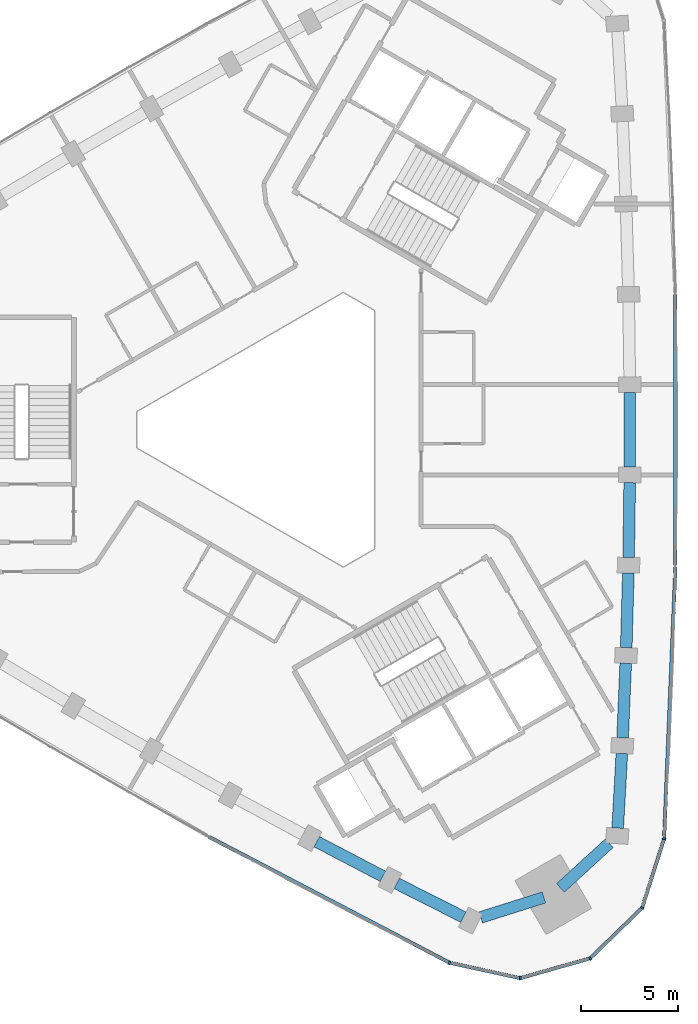
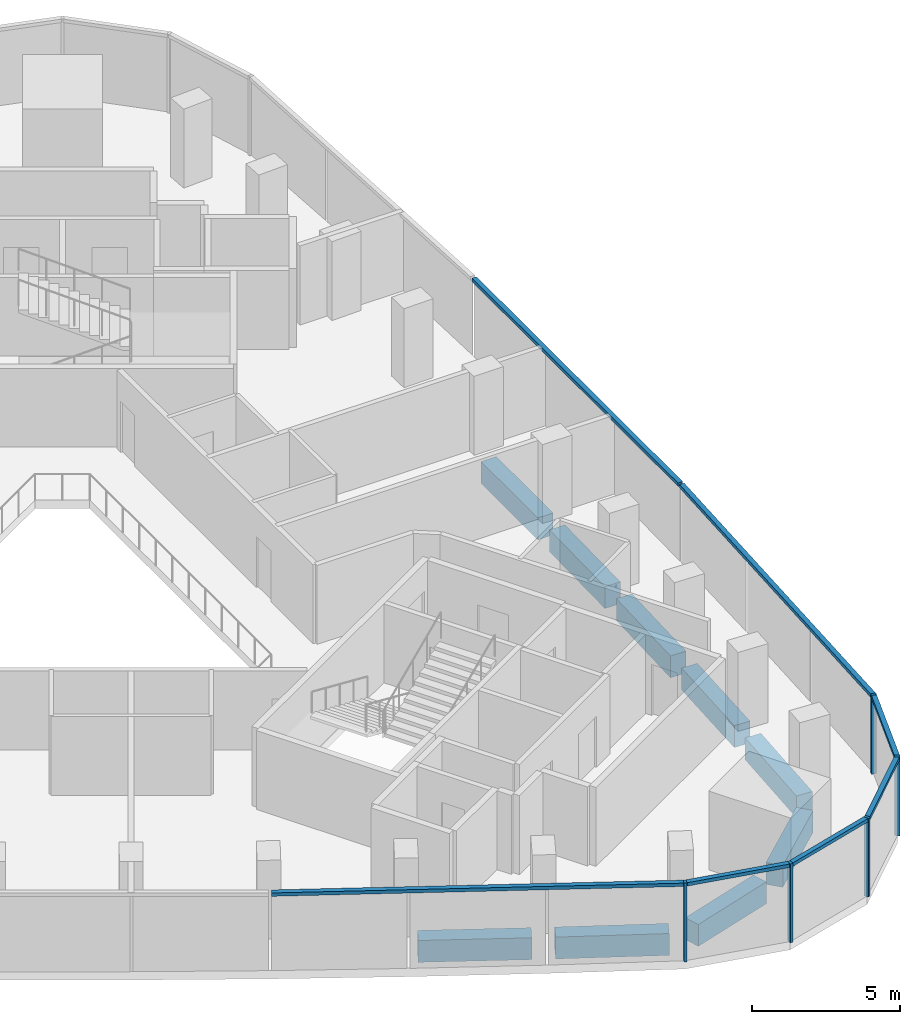
# One storey, part 3 of 11: 12 members, 9 beams, 2 elements without a shape of their own.
"""IFC4 building model written with IfcOpenShell, lengths in metres."""

from ifc_helpers import new_model, si_unit, direction, frame, origin, origin_2d, place, context, subcontext, project, spatial, rectangle, extrude, material, material_profile, profile_set, type_object, element, aggregate, save


model = new_model("IFC4")

# Units and contexts
model_context = context("Model", 3, precision=1e-05, world=origin(), true_north=direction((0.0, 1.0)))
body_context = subcontext(model_context, "Body", "Model", "MODEL_VIEW")
ifc_project = project(units=[si_unit("LENGTHUNIT", "METRE"), si_unit("AREAUNIT", "SQUARE_METRE"), si_unit("VOLUMEUNIT", "CUBIC_METRE"), si_unit("PLANEANGLEUNIT", "RADIAN"), si_unit("MASSUNIT", "GRAM", prefix="KILO")], contexts=[model_context])

# Site, building, storey
site_placement = place(None, origin())
site = spatial("IfcSite", under=ifc_project, at=site_placement, CompositionType="ELEMENT")
building_placement = place(site_placement, origin())
building = spatial("IfcBuilding", under=site, at=building_placement, Name="Tamra Quay Hotel Tower", CompositionType="ELEMENT")
storey_placement = place(building_placement, frame((0.0, 0.0, 190.0)))
storey = spatial("IfcBuildingStorey", under=building, at=storey_placement, Name="L47", CompositionType="ELEMENT", Elevation=190.0)

# Curtain wall, member
ifc_material_1 = material(Name="Aluminium 6063 anodised dark grey", Category="aluminium")
curtain_wall_type_1 = type_object("IfcCurtainWallType", Name="CW1 CURTAIN WALL", PredefinedType="NOTDEFINED", material=ifc_material_1)
curtain_wall_1_placement = place(storey_placement, origin())
curtain_wall_1 = element("IfcCurtainWall", 1, at=curtain_wall_1_placement, inside=storey, type_object=curtain_wall_type_1, Name="CW1 east face L47", PredefinedType="NOTDEFINED")
ifc_material_profile_1 = material_profile(ifc_material_1, rectangle(XDim=0.179931640625, YDim=0.10009765625, at=origin_2d()), Name="MULLION 100X180")
ifc_profile_set_1 = profile_set([ifc_material_profile_1], Name="Aluminium 6063 anodised dark grey")
member_type_1 = type_object("IfcMemberType", Name="MULLION CW1 Z4", PredefinedType="MULLION", material=ifc_profile_set_1)
member_1_placement = place(storey_placement, frame((19.4755859375, -21.00537109375, 0.0), z_axis=(0.0, 0.0, 1.0), x_axis=(0.98350948997, -0.180856526394, 0.0)))
member_1 = element("IfcMember", 2, at=member_1_placement, type_object=member_type_1, Name="CW1 mullion L47.E.1", PredefinedType="MULLION", context=body_context, shape_type="SweptSolid", body=[
    extrude(rectangle(XDim=0.179931640625, YDim=0.10009765625, at=origin_2d()), origin(), (0.0, 0.0, 1.0), 3.25),
])

# Curtain wall, members
curtain_wall_type_2 = type_object("IfcCurtainWallType", Name="CW3 CURTAIN WALL", PredefinedType="NOTDEFINED", material=ifc_material_1)
curtain_wall_2_placement = place(storey_placement, origin())
curtain_wall_2 = element("IfcCurtainWall", 3, at=curtain_wall_2_placement, inside=storey, type_object=curtain_wall_type_2, Name="CW3 south-west face L47", PredefinedType="NOTDEFINED")
ifc_material_profile_2 = material_profile(ifc_material_1, rectangle(XDim=0.179931640625, YDim=0.10009765625, at=origin_2d()), Name="MULLION 100X180")
ifc_profile_set_2 = profile_set([ifc_material_profile_2], Name="Aluminium 6063 anodised dark grey")
member_type_2 = type_object("IfcMemberType", Name="MULLION CW3 Z4", PredefinedType="MULLION", material=ifc_profile_set_2)
member_2_placement = place(storey_placement, frame((8.453369140625, -27.369140625, 0.0), z_axis=(0.0, 0.0, 1.0), x_axis=(-0.335128398687, -0.942172466374, 0.0)))
member_2 = element("IfcMember", 4, at=member_2_placement, type_object=member_type_2, Name="CW3 mullion L47.SW.10", PredefinedType="MULLION", context=body_context, shape_type="SweptSolid", body=[
    extrude(rectangle(XDim=0.179931640625, YDim=0.10009765625, at=origin_2d()), origin(), (0.0, 0.0, 1.0), 3.25),
])
member_3_placement = place(storey_placement, frame((12.091064453125, -28.164794921875, 0.0), z_axis=(0.0, 0.0, 1.0), x_axis=(0.030975337936, -0.999520149091, 0.0)))
member_3 = element("IfcMember", 5, at=member_3_placement, type_object=member_type_2, Name="CW3 mullion L47.SW.11", PredefinedType="MULLION", context=body_context, shape_type="SweptSolid", body=[
    extrude(rectangle(XDim=0.179931640625, YDim=0.10009765625, at=origin_2d()), origin(), (0.0, 0.0, 1.0), 3.25),
])
member_4_placement = place(storey_placement, frame((15.67236328125, -27.145263671875, 0.0), z_axis=(0.0, 0.0, 1.0), x_axis=(0.5, -0.866025403784, 0.0)))
member_4 = element("IfcMember", 6, at=member_4_placement, type_object=member_type_2, Name="CW3 mullion L47.SW.12", PredefinedType="MULLION", context=body_context, shape_type="SweptSolid", body=[
    extrude(rectangle(XDim=0.179931640625, YDim=0.10009765625, at=origin_2d()), origin(), (0.0, 0.0, 1.0), 3.25),
])
member_5_placement = place(storey_placement, frame((18.345947265625, -24.553466796875, 0.0), z_axis=(0.0, 0.0, 1.0), x_axis=(0.85012217174, -0.526585504089, 0.0)))
member_5 = element("IfcMember", 7, at=member_5_placement, type_object=member_type_2, Name="CW3 mullion L47.SW.13", PredefinedType="MULLION", context=body_context, shape_type="SweptSolid", body=[
    extrude(rectangle(XDim=0.179931640625, YDim=0.10009765625, at=origin_2d()), origin(), (0.0, 0.0, 1.0), 3.25),
])

# Beams
ifc_material_2 = material(Name="Concrete M60", Category="concrete")
ifc_material_profile_3 = material_profile(ifc_material_2, rectangle(XDim=0.60009765625, YDim=0.89990234375, at=origin_2d()), Name="SPANDREL BEAM RC 600x900")
ifc_profile_set_3 = profile_set([ifc_material_profile_3], Name="Concrete M60")
beam_type = type_object("IfcBeamType", Name="SPANDREL BEAM RC 600x900", PredefinedType="SPANDREL", material=ifc_profile_set_3)
beam_1_placement = place(storey_placement, frame((17.091796875, -20.456787109375, -0.800048828125), z_axis=(0.055346700292, 0.99846719664, 0.0), x_axis=(-0.99846719664, 0.055346700292, 0.0)))
element("IfcBeam", 8, at=beam_1_placement, inside=storey, type_object=beam_type, Name="BM-SP4-000-L47", PredefinedType="SPANDREL", context=body_context, shape_type="SweptSolid", body=[
    extrude(rectangle(XDim=0.60009765625, YDim=0.89990234375, at=origin_2d()), origin(), (0.0, 0.0, 1.0), 3.837646484375),
])
beam_2_placement = place(storey_placement, frame((17.343017578125, -15.82568359375, -0.800048828125), z_axis=(0.041609373826, 0.999133954988, 0.0), x_axis=(-0.999133954988, 0.041609373826, 0.0)))
element("IfcBeam", 9, at=beam_2_placement, inside=storey, type_object=beam_type, Name="BM-SP4-001-L47", PredefinedType="SPANDREL", context=body_context, shape_type="SweptSolid", body=[
    extrude(rectangle(XDim=0.60009765625, YDim=0.89990234375, at=origin_2d()), origin(), (0.0, 0.0, 1.0), 3.83740234375),
])
beam_3_placement = place(storey_placement, frame((17.530517578125, -11.192138671875, -0.800048828125), z_axis=(0.02773528523, 0.999615302981, 0.0), x_axis=(-0.999615302981, 0.02773528523, 0.0)))
element("IfcBeam", 10, at=beam_3_placement, inside=storey, type_object=beam_type, Name="BM-SP4-002-L47", PredefinedType="SPANDREL", context=body_context, shape_type="SweptSolid", body=[
    extrude(rectangle(XDim=0.60009765625, YDim=0.89990234375, at=origin_2d()), origin(), (0.0, 0.0, 1.0), 3.837890625),
])
for number, where, z_axis, x_axis, name in (
    (11, (17.65380859375, -6.555908203125, -0.800048828125), (0.01380539035, 0.999904701058, 0.0), (-0.999904701058, 0.01380539035, 0.0), "BM-SP4-003-L47"),
    (12, (17.71240234375, -1.918701171875, -0.800048828125), (0.0, 1.0, 0.0), (-1.0, 0.0, 0.0), "BM-SP4-004-L47"),
    (13, (1.6337890625, -21.153564453125, -0.800048828125), (0.886043134182, -0.463602808845, 0.0), (0.463602808845, 0.886043134182, 0.0), "BM-SP4-029-L47"),
):
    element("IfcBeam", number, at=place(storey_placement, frame(where, z_axis=z_axis, x_axis=x_axis)), inside=storey, type_object=beam_type, Name=name, PredefinedType="SPANDREL", context=body_context, shape_type="SweptSolid", body=[
        extrude(rectangle(XDim=0.60009765625, YDim=0.89990234375, at=origin_2d()), origin(), (0.0, 0.0, 1.0), 3.83740234375),
    ])
beam_4_placement = place(storey_placement, frame((5.745361328125, -23.29833984375, -0.800048828125), z_axis=(0.892407883039, -0.451229620359, 0.0), x_axis=(0.451229620359, 0.892407883039, 0.0)))
element("IfcBeam", 14, at=beam_4_placement, inside=storey, type_object=beam_type, Name="BM-SP4-030-L47", PredefinedType="SPANDREL", context=body_context, shape_type="SweptSolid", body=[
    extrude(rectangle(XDim=0.60009765625, YDim=0.89990234375, at=origin_2d()), origin(), (0.0, 0.0, 1.0), 3.837646484375),
])
beam_5_placement = place(storey_placement, frame((10.057373046875, -25.043212890625, -0.800048828125), z_axis=(0.953502415748, 0.301385373174, 0.0), x_axis=(-0.301385373174, 0.953502415748, 0.0)))
element("IfcBeam", 15, at=beam_5_placement, inside=storey, type_object=beam_type, Name="BM-SP4-031-L47", PredefinedType="SPANDREL", context=body_context, shape_type="SweptSolid", body=[
    extrude(rectangle(XDim=0.60009765625, YDim=0.89990234375, at=origin_2d()), origin(), (0.0, 0.0, 1.0), 3.40380859375),
])
beam_6_placement = place(storey_placement, frame((14.14794921875, -23.52978515625, -0.800048828125), z_axis=(0.737716497183, 0.675110635218, 0.0), x_axis=(-0.675110635218, 0.737716497183, 0.0)))
element("IfcBeam", 16, at=beam_6_placement, inside=storey, type_object=beam_type, Name="BM-SP4-032-L47", PredefinedType="SPANDREL", context=body_context, shape_type="SweptSolid", body=[
    extrude(rectangle(XDim=0.60009765625, YDim=0.89990234375, at=origin_2d()), origin(), (0.0, 0.0, 1.0), 3.404296875),
])

# Member
ifc_material_profile_4 = material_profile(ifc_material_1, rectangle(XDim=0.179931640625, YDim=0.139892578125, at=origin_2d()), Name="TRANSOM 180X140")
ifc_profile_set_4 = profile_set([ifc_material_profile_4], Name="Aluminium 6063 anodised dark grey")
member_type_3 = type_object("IfcMemberType", Name="TRANSOM CW1 Z4", PredefinedType="USERDEFINED", material=ifc_profile_set_4)
member_6_placement = place(storey_placement, frame((19.478515625, -20.95556640625, 3.179931640625), z_axis=(0.041576525187, 0.999135322443, 0.0), x_axis=(-0.999135322443, 0.041576525187, 0.0)))
member_6 = element("IfcMember", 17, at=member_6_placement, type_object=member_type_3, Name="CW1 transom L47.E.1", ObjectType="TRANSOM", PredefinedType="USERDEFINED", context=body_context, shape_type="SweptSolid", body=[
    extrude(rectangle(XDim=0.179931640625, YDim=0.139892578125, at=origin_2d()), origin(), (0.0, 0.0, 1.0), 13.910888671875),
])

member_7_placement = place(storey_placement, frame((20.05908203125, -6.956787109375, 3.179931640625), z_axis=(0.0, 1.0, 0.0), x_axis=(-1.0, 0.0, 0.0)))
member_7 = element("IfcMember", 18, at=member_7_placement, type_object=member_type_3, Name="CW1 transom L47.E.4", ObjectType="TRANSOM", PredefinedType="USERDEFINED", context=body_context, shape_type="SweptSolid", body=[
    extrude(rectangle(XDim=0.179931640625, YDim=0.139892578125, at=origin_2d()), origin(), (0.0, 0.0, 1.0), 13.91357421875),
])

aggregate(curtain_wall_1, [member_1, member_6, member_7])

ifc_material_profile_5 = material_profile(ifc_material_1, rectangle(XDim=0.179931640625, YDim=0.139892578125, at=origin_2d()), Name="TRANSOM 180X140")
ifc_profile_set_5 = profile_set([ifc_material_profile_5], Name="Aluminium 6063 anodised dark grey")
member_type_4 = type_object("IfcMemberType", Name="TRANSOM CW3 Z4", PredefinedType="USERDEFINED", material=ifc_profile_set_5)
member_8_placement = place(storey_placement, frame((-3.917236328125, -20.898193359375, 3.179931640625), z_axis=(0.886073593198, -0.463544590559, 0.0), x_axis=(0.463544590559, 0.886073593198, 0.0)))
member_8 = element("IfcMember", 19, at=member_8_placement, type_object=member_type_4, Name="CW3 transom L47.SW.7", ObjectType="TRANSOM", PredefinedType="USERDEFINED", context=body_context, shape_type="SweptSolid", body=[
    extrude(rectangle(XDim=0.179931640625, YDim=0.139892578125, at=origin_2d()), origin(), (0.0, 0.0, 1.0), 13.91064453125),
])

member_9_placement = place(storey_placement, frame((8.502197265625, -27.3798828125, 3.179931640625), z_axis=(0.976912322542, -0.21364061895, 0.0), x_axis=(0.21364061895, 0.976912322542, 0.0)))
member_9 = element("IfcMember", 20, at=member_9_placement, type_object=member_type_4, Name="CW3 transom L47.SW.10", ObjectType="TRANSOM", PredefinedType="USERDEFINED", context=body_context, shape_type="SweptSolid", body=[
    extrude(rectangle(XDim=0.179931640625, YDim=0.139892578125, at=origin_2d()), origin(), (0.0, 0.0, 1.0), 3.623779296875),
])

member_10_placement = place(storey_placement, frame((12.13916015625, -28.151123046875, 3.179931640625), z_axis=(0.961782850697, 0.273813345375, 0.0), x_axis=(-0.273813345375, 0.961782850697, 0.0)))
member_10 = element("IfcMember", 21, at=member_10_placement, type_object=member_type_4, Name="CW3 transom L47.SW.11", ObjectType="TRANSOM", PredefinedType="USERDEFINED", context=body_context, shape_type="SweptSolid", body=[
    extrude(rectangle(XDim=0.179931640625, YDim=0.139892578125, at=origin_2d()), origin(), (0.0, 0.0, 1.0), 3.62353515625),
])

member_11_placement = place(storey_placement, frame((15.708251953125, -27.110595703125, 3.179931640625), z_axis=(0.718003439243, 0.696039554361, 0.0), x_axis=(-0.696039554361, 0.718003439243, 0.0)))
member_11 = element("IfcMember", 22, at=member_11_placement, type_object=member_type_4, Name="CW3 transom L47.SW.12", ObjectType="TRANSOM", PredefinedType="USERDEFINED", context=body_context, shape_type="SweptSolid", body=[
    extrude(rectangle(XDim=0.179931640625, YDim=0.139892578125, at=origin_2d()), origin(), (0.0, 0.0, 1.0), 3.623779296875),
])

member_12_placement = place(storey_placement, frame((18.361083984375, -24.505859375, 3.179931640625), z_axis=(0.303384410911, 0.952868248614, 0.0), x_axis=(-0.952868248614, 0.303384410911, 0.0)))
member_12 = element("IfcMember", 23, at=member_12_placement, type_object=member_type_4, Name="CW3 transom L47.SW.13", ObjectType="TRANSOM", PredefinedType="USERDEFINED", context=body_context, shape_type="SweptSolid", body=[
    extrude(rectangle(XDim=0.179931640625, YDim=0.139892578125, at=origin_2d()), origin(), (0.0, 0.0, 1.0), 3.623779296875),
])

aggregate(curtain_wall_2, [member_8, member_2, member_9, member_3, member_10, member_4, member_11, member_5, member_12])

save(model, "model.ifc")
